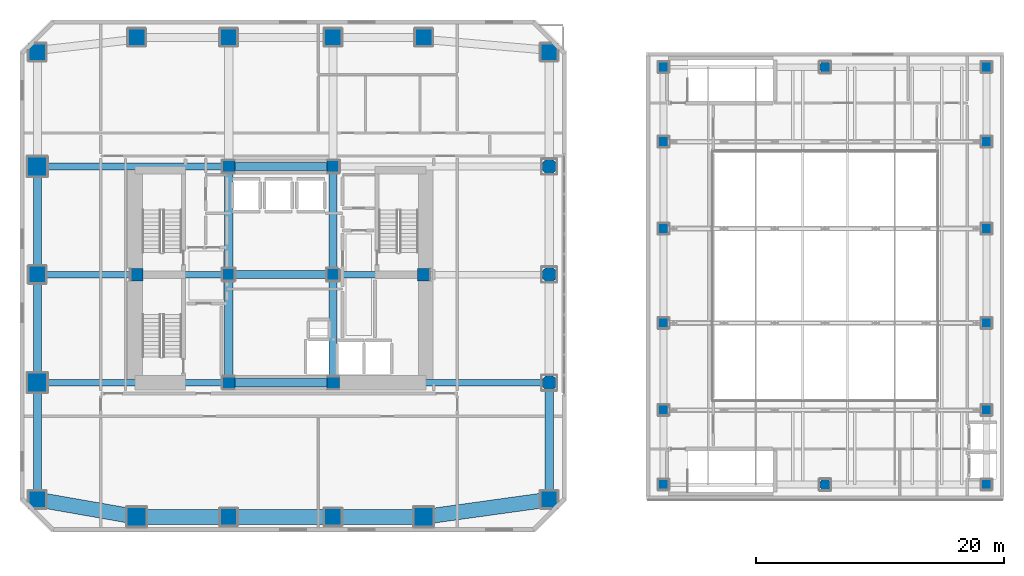
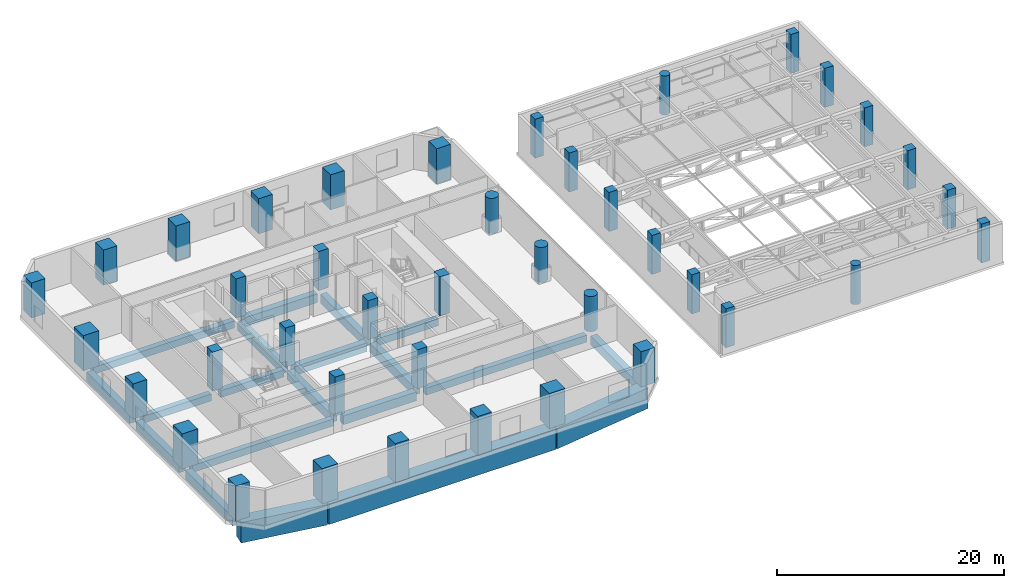
# One storey, part 1 of 25: 40 columns, 20 beams.
"""IFC4 building model written with IfcOpenShell, lengths in metres."""

import ifcopenshell
import ifcopenshell.guid

model = None  # the IFC model being written
_history = None  # IfcOwnerHistory: only IFC2X3 demands one
_inside = {}  # id of a spatial element -> (the spatial element, [elements in it])
_under = {}  # id of a project, library or spatial element -> (it, [spatial elements below it])
_declared = {}  # id of a project -> (the project, [libraries it declares])
_typed = {}  # id of a type object -> (the type object, [elements of that type])
_made_of = {}  # id of a material, layer set ... -> (it, [elements and type objects made of it])


def new_model(schema):
    """Start an empty IFC model of exactly this schema.

    Asked for "IFC4X3", IfcOpenShell would pick the latest addendum, in which some entities
    have other attributes; the version numbers below select the first issue.
    IFC2X3 requires an IfcOwnerHistory on every rooted entity: one is made here for all.
    """
    global model, _history
    if schema == "IFC4X3":
        model = ifcopenshell.file(schema_version=(4, 3, 0, 0))
    else:
        model = ifcopenshell.file(schema=schema)
    _inside.clear()
    _under.clear()
    _declared.clear()
    _typed.clear()
    _made_of.clear()
    _history = None
    if model.schema == "IFC2X3":
        org = make("IfcOrganization", Name="unknown")
        user = make(
            "IfcPersonAndOrganization",
            ThePerson=make("IfcPerson", FamilyName="unknown"),
            TheOrganization=org,
        )
        app = make(
            "IfcApplication",
            ApplicationDeveloper=org,
            Version="unknown",
            ApplicationFullName="unknown",
            ApplicationIdentifier="unknown",
        )
        _history = make(
            "IfcOwnerHistory",
            OwningUser=user,
            OwningApplication=app,
            ChangeAction="ADDED",
            CreationDate=0,
        )
    return model


def make(cls, **values):
    """One entity of the class cls with the attributes given. An attribute that is None is left unset."""
    return model.create_entity(
        cls, **{name: value for name, value in values.items() if value is not None}
    )


def rooted(cls, **values):
    """An entity with a GlobalId (a new one), such as an element, a storey or a relation."""
    return make(cls, GlobalId=ifcopenshell.guid.new(), OwnerHistory=_history, **values)


def si_unit(unit_type, name, prefix=None):
    """IfcSIUnit, for example si_unit("LENGTHUNIT", "METRE", prefix="MILLI")."""
    return make("IfcSIUnit", UnitType=unit_type, Prefix=prefix, Name=name)


def assignment(units):
    """IfcUnitAssignment: the units of a project."""
    return None if units is None else make("IfcUnitAssignment", Units=units)


def point(xyz):
    """IfcCartesianPoint."""
    return None if xyz is None else make("IfcCartesianPoint", Coordinates=xyz)


def direction(xyz):
    """IfcDirection."""
    return None if xyz is None else make("IfcDirection", DirectionRatios=xyz)


def frame(location, z_axis=None, x_axis=None):
    """IfcAxis2Placement3D, a coordinate frame: its origin and axes. An axis left out is left unset."""
    return make(
        "IfcAxis2Placement3D",
        Location=point(location),
        Axis=direction(z_axis),
        RefDirection=direction(x_axis),
    )


def frame_2d(location, x_axis=None):
    """IfcAxis2Placement2D, a coordinate frame in the plane: its origin and x axis."""
    return make(
        "IfcAxis2Placement2D", Location=point(location), RefDirection=direction(x_axis)
    )


def origin():
    """The frame at (0, 0, 0) with its axes left unset."""
    return frame((0.0, 0.0, 0.0))


def origin_2d():
    """The frame at (0, 0) in the plane with its x axis left unset."""
    return frame_2d((0.0, 0.0))


def place(relative_to, where):
    """IfcLocalPlacement: puts the frame where relative to a parent placement (None: the world)."""
    return make(
        "IfcLocalPlacement", PlacementRelTo=relative_to, RelativePlacement=where
    )


def context(
    kind, dimensions, precision=None, world=None, true_north=None, identifier=None
):
    """IfcGeometricRepresentationContext, for example the 3D "Model" context."""
    return make(
        "IfcGeometricRepresentationContext",
        ContextIdentifier=identifier,
        ContextType=kind,
        CoordinateSpaceDimension=dimensions,
        Precision=precision,
        WorldCoordinateSystem=world,
        TrueNorth=true_north,
    )


def subcontext(parent, identifier, kind, view, scale=None):
    """IfcGeometricRepresentationSubContext, for example "Body" below "Model"."""
    return make(
        "IfcGeometricRepresentationSubContext",
        ContextIdentifier=identifier,
        ContextType=kind,
        ParentContext=parent,
        TargetScale=scale,
        TargetView=view,
    )


def project(units=None, contexts=None):
    """IfcProject with its units and contexts."""
    return rooted(
        "IfcProject",
        Name="project",
        RepresentationContexts=contexts,
        UnitsInContext=assignment(units),
    )


def spatial(cls, under=None, at=None, **own):
    """A site, building, storey or space (cls), placed at a placement, below another one or the project."""
    s = rooted(cls, ObjectPlacement=at, **own)
    if under is not None:
        _under.setdefault(under.id(), (under, []))[1].append(s)
    return s


def profile(cls, at=None, kind="AREA", **sizes):
    """A parametric profile (cls). Its sizes go by their IFC names, for example OverallWidth=200.0."""
    return make(cls, ProfileType=kind, Position=at, **sizes)


def rectangle(**sizes):
    """IfcRectangleProfileDef."""
    return profile("IfcRectangleProfileDef", **sizes)


def circle(**sizes):
    """IfcCircleProfileDef."""
    return profile("IfcCircleProfileDef", **sizes)


def extrude(swept, where, along, depth):
    """IfcExtrudedAreaSolid: the profile swept, set in the frame where, extruded along a direction by depth."""
    return make(
        "IfcExtrudedAreaSolid",
        SweptArea=swept,
        Position=where,
        ExtrudedDirection=direction(along),
        Depth=depth,
    )


def shape(context_of_items, identifier, shape_type, items):
    """IfcShapeRepresentation: the items that make up one representation, for example the "Body"."""
    return make(
        "IfcShapeRepresentation",
        ContextOfItems=context_of_items,
        RepresentationIdentifier=identifier,
        RepresentationType=shape_type,
        Items=items,
    )


def material(Name=None, Category=None):
    """IfcMaterial."""
    return make("IfcMaterial", Name=Name, Category=Category)


def material_profile(
    of_material, cross_section, Name=None, Category=None, Priority=None
):
    """IfcMaterialProfile: a cross section and its material."""
    return make(
        "IfcMaterialProfile",
        Name=Name,
        Material=of_material,
        Profile=cross_section,
        Priority=Priority,
        Category=Category,
    )


def profile_set(profiles, Name=None, composite=None):
    """IfcMaterialProfileSet."""
    return make(
        "IfcMaterialProfileSet",
        Name=Name,
        MaterialProfiles=profiles,
        CompositeProfile=composite,
    )


def made_of(thing, what):
    """Note that an element or type object is made of a material, layer set ...; save() writes the relation."""
    if what is not None:
        _made_of.setdefault(what.id(), (what, []))[1].append(thing)
    return thing


def type_object(cls, material=None, **own):
    """A type object (cls), such as IfcWallType, which elements share."""
    return made_of(rooted(cls, **own), material)


def element(
    cls,
    number,
    at=None,
    inside=None,
    cuts=None,
    type_object=None,
    material=None,
    context=None,
    identifier="Body",
    shape_type=None,
    held_by="IfcProductDefinitionShape",
    body=None,
    shapes=None,
    **own,
):
    """One element of the class cls, such as IfcWall. Its Tag is "e" and its number.

    at: its placement. inside: the storey or other place that contains it. cuts: it is an
    opening in that element (IfcRelVoidsElement). A single representation is given by context,
    identifier, shape_type and body (its items); several are given by shapes. held_by: the class
    of the entity that holds the representations. save() writes the other relations.
    """
    e = rooted(cls, Tag="e%d" % number, ObjectPlacement=at, **own)
    if body is not None:
        shapes = [shape(context, identifier, shape_type, body)]
    if shapes is not None:
        e.Representation = make(held_by, Representations=shapes)
    if inside is not None:
        _inside.setdefault(inside.id(), (inside, []))[1].append(e)
    if cuts is not None:
        rooted(
            "IfcRelVoidsElement", RelatingBuildingElement=cuts, RelatedOpeningElement=e
        )
    if type_object is not None:
        _typed.setdefault(type_object.id(), (type_object, []))[1].append(e)
    return made_of(e, material)


def aggregate(whole, parts):
    """IfcRelAggregates: a whole, such as a stair, and the parts it consists of."""
    return rooted("IfcRelAggregates", RelatingObject=whole, RelatedObjects=parts)


def save(model, path):
    """Write the relations noted so far, then the file.

    IfcRelAggregates (storeys below a building ...), IfcRelContainedInSpatialStructure (elements
    in a storey), IfcRelDefinesByType, IfcRelAssociatesMaterial and IfcRelDeclares: one each for
    every whole, place, type object, material and project.
    """
    for whole, parts in _under.values():
        aggregate(whole, parts)
    for where, things in _inside.values():
        rooted(
            "IfcRelContainedInSpatialStructure",
            RelatedElements=things,
            RelatingStructure=where,
        )
    for kind, things in _typed.values():
        rooted("IfcRelDefinesByType", RelatedObjects=things, RelatingType=kind)
    for what, things in _made_of.values():
        rooted("IfcRelAssociatesMaterial", RelatedObjects=things, RelatingMaterial=what)
    for by, libraries in _declared.values():
        rooted("IfcRelDeclares", RelatingContext=by, RelatedDefinitions=libraries)
    model.write(path)


model = new_model("IFC4")

# Units and contexts
model_context = context("Model", 3, precision=1e-05, world=origin(), true_north=direction((0.0, 1.0)))
body_context = subcontext(model_context, "Body", "Model", "MODEL_VIEW")
ifc_project = project(units=[si_unit("LENGTHUNIT", "METRE"), si_unit("AREAUNIT", "SQUARE_METRE"), si_unit("VOLUMEUNIT", "CUBIC_METRE"), si_unit("PLANEANGLEUNIT", "RADIAN"), si_unit("MASSUNIT", "GRAM", prefix="KILO")], contexts=[model_context])

# Site, building, storey
site_placement = place(None, origin())
site = spatial("IfcSite", under=ifc_project, at=site_placement, CompositionType="ELEMENT")
building_placement = place(site_placement, origin())
building = spatial("IfcBuilding", under=site, at=building_placement, Name="Solanera Arch Residences", CompositionType="ELEMENT")
storey_placement = place(building_placement, frame((0.0, 0.0, 17.800048828125)))
storey = spatial("IfcBuildingStorey", under=building, at=storey_placement, Name="L04", CompositionType="ELEMENT", Elevation=17.800048828125)

# Columns
ifc_material_1 = material(Name="Concrete C55/67 (f'c = 60 MPa)", Category="concrete")
ifc_material_profile_1 = material_profile(ifc_material_1, rectangle(XDim=1.0, YDim=1.0, at=origin_2d()))
ifc_profile_set_1 = profile_set([ifc_material_profile_1], Name="Concrete C55/67 (f'c = 60 MPa)")
column_type_1 = type_object("IfcColumnType", Name="Structural Column RC-COL-1000X1000", PredefinedType="COLUMN", material=ifc_profile_set_1)
for number, where, z_axis, x_axis, name in (
    (1, (20.800048828125, 22.0, 0.0), (0.0, 0.0, 1.0), (1.0, 0.0, 0.0), "COL-L04-CB-SW"),
    (2, (29.199951171875, 22.0, 0.0), (0.0, 0.0, 1.0), (1.0, 0.0, 0.0), "COL-L04-CB-SE"),
    (3, (20.800048828125, 39.39990234375, 0.0), (0.0, 0.0, 1.0), (1.0, 0.0, 0.0), "COL-L04-CB-NW"),
    (4, (29.199951171875, 39.39990234375, 0.0), (0.0, 0.0, 1.0), (1.0, 0.0, 0.0), "COL-L04-CB-NE"),
    (5, (13.39990234375, 30.699951171875, 0.0), (0.0, 0.0, 1.0), (1.0, 0.0, 0.0), "COL-L04-CB-WW"),
    (6, (36.5, 30.699951171875, 0.0), (0.0, 0.0, 1.0), (1.0, 0.0, 0.0), "COL-L04-CB-EE"),
    (7, (20.800048828125, 30.699951171875, 0.0), (0.0, 0.0, 1.0), (1.0, 0.0, 0.0), "COL-L04-CORE-W"),
    (8, (29.199951171875, 30.699951171875, 0.0), (0.0, 0.0, 1.0), (1.0, 0.0, 0.0), "COL-L04-CORE-E"),
):
    element("IfcColumn", number, at=place(storey_placement, frame(where, z_axis=z_axis, x_axis=x_axis)), inside=storey, type_object=column_type_1, Name=name, PredefinedType="COLUMN", context=body_context, shape_type="SweptSolid", body=[
        extrude(rectangle(XDim=1.0, YDim=1.0, at=origin_2d()), origin(), (0.0, 0.0, 1.0), 4.199951171875),
    ])
ifc_material_2 = material(Name="Concrete C55/67 (f'c = 60 MPa)", Category="concrete")
ifc_material_profile_2 = material_profile(ifc_material_2, rectangle(XDim=1.39990234375, YDim=1.39990234375, at=origin_2d()))
ifc_profile_set_2 = profile_set([ifc_material_profile_2], Name="Concrete C55/67 (f'c = 60 MPa)")
column_type_2 = type_object("IfcColumnType", Name="Structural Column RC-COL-1400X1400", PredefinedType="COLUMN", material=ifc_profile_set_2)
for number, where, z_axis, x_axis, name in (
    (9, (13.39990234375, 49.800048828125, 0.0), (0.0, 0.0, 1.0), (1.0, 0.0, 0.0), "COL-L04-POD-03"),
    (10, (20.800048828125, 49.800048828125, 0.0), (0.0, 0.0, 1.0), (1.0, 0.0, 0.0), "COL-L04-POD-04"),
    (11, (29.199951171875, 49.800048828125, 0.0), (0.0, 0.0, 1.0), (1.0, 0.0, 0.0), "COL-L04-POD-05"),
    (12, (36.5, 49.800048828125, 0.0), (0.0, 0.0, 1.0), (1.0, 0.0, 0.0), "COL-L04-POD-06"),
    (13, (5.39990234375, 30.699951171875, 0.0), (0.0, 0.0, 1.0), (1.0, 0.0, 0.0), "COL-L04-POD-08"),
    (14, (5.39990234375, 12.60009765625, 0.0), (0.0, 0.0, 1.0), (1.0, 0.0, 0.0), "COL-L04-POD-13"),
    (15, (46.60009765625, 12.60009765625, 0.0), (0.0, 0.0, 1.0), (1.0, 0.0, 0.0), "COL-L04-POD-14"),
    (16, (5.39990234375, 48.60009765625, 0.0), (0.0, 0.0, 1.0), (1.0, 0.0, 0.0), "COL-L04-POD-15"),
    (17, (46.60009765625, 48.60009765625, 0.0), (0.0, 0.0, 1.0), (1.0, 0.0, 0.0), "COL-L04-POD-16"),
):
    element("IfcColumn", number, at=place(storey_placement, frame(where, z_axis=z_axis, x_axis=x_axis)), inside=storey, type_object=column_type_2, Name=name, PredefinedType="COLUMN", context=body_context, shape_type="SweptSolid", body=[
        extrude(rectangle(XDim=1.39990234375, YDim=1.39990234375, at=origin_2d()), origin(), (0.0, 0.0, 1.0), 3.780029296875),
    ])
for number, where, z_axis, x_axis, name in (
    (18, (20.800048828125, 11.199951171875, -0.420166015625), (0.0, 0.0, 1.0), (1.0, 0.0, 0.0), "COL-L04-POD-AS1"),
    (19, (29.199951171875, 11.199951171875, -0.420166015625), (0.0, 0.0, 1.0), (1.0, 0.0, 0.0), "COL-L04-POD-AS2"),
):
    element("IfcColumn", number, at=place(storey_placement, frame(where, z_axis=z_axis, x_axis=x_axis)), inside=storey, type_object=column_type_2, Name=name, PredefinedType="COLUMN", context=body_context, shape_type="SweptSolid", body=[
        extrude(rectangle(XDim=1.39990234375, YDim=1.39990234375, at=origin_2d()), origin(), (0.0, 0.0, 1.0), 4.2001953125),
    ])
ifc_material_3 = material(Name="Concrete C55/67 (f'c = 60 MPa)", Category="concrete")
ifc_material_profile_3 = material_profile(ifc_material_3, rectangle(XDim=1.60009765625, YDim=1.60009765625, at=origin_2d()))
ifc_profile_set_3 = profile_set([ifc_material_profile_3], Name="Concrete C55/67 (f'c = 60 MPa)")
column_type_3 = type_object("IfcColumnType", Name="Structural Column RC-COL-1600X1600", PredefinedType="COLUMN", material=ifc_profile_set_3)
for number, where, z_axis, x_axis, name in (
    (20, (13.39990234375, 11.199951171875, 0.0), (0.0, 0.0, 1.0), (1.0, 0.0, 0.0), "COL-L04-POD-01"),
    (21, (36.5, 11.199951171875, 0.0), (0.0, 0.0, 1.0), (1.0, 0.0, 0.0), "COL-L04-POD-02"),
    (22, (5.39990234375, 22.0, 0.0), (0.0, 0.0, 1.0), (1.0, 0.0, 0.0), "COL-L04-POD-07"),
    (23, (5.39990234375, 39.39990234375, 0.0), (0.0, 0.0, 1.0), (1.0, 0.0, 0.0), "COL-L04-POD-09"),
):
    element("IfcColumn", number, at=place(storey_placement, frame(where, z_axis=z_axis, x_axis=x_axis)), inside=storey, type_object=column_type_3, Name=name, PredefinedType="COLUMN", context=body_context, shape_type="SweptSolid", body=[
        extrude(rectangle(XDim=1.60009765625, YDim=1.60009765625, at=origin_2d()), origin(), (0.0, 0.0, 1.0), 3.780029296875),
    ])
ifc_material_4 = material(Name="Concrete C40/50 (f'c = 45 MPa)", Category="concrete")
ifc_material_profile_4 = material_profile(ifc_material_4, rectangle(XDim=0.85009765625, YDim=0.85009765625, at=origin_2d()))
ifc_profile_set_4 = profile_set([ifc_material_profile_4], Name="Concrete C40/50 (f'c = 45 MPa)")
column_type_4 = type_object("IfcColumnType", Name="Structural Column RC-COL-850X850", PredefinedType="COLUMN", material=ifc_profile_set_4)
for number, where, z_axis, x_axis, name in (
    (24, (55.800048828125, 13.800048828125, 0.0), (0.0, 0.0, 1.0), (1.0, 0.0, 0.0), "COL-L04-HALL-01"),
    (25, (55.800048828125, 19.800048828125, 0.0), (0.0, 0.0, 1.0), (1.0, 0.0, 0.0), "COL-L04-HALL-02"),
    (26, (55.800048828125, 26.800048828125, 0.0), (0.0, 0.0, 1.0), (1.0, 0.0, 0.0), "COL-L04-HALL-03"),
    (27, (55.800048828125, 34.39990234375, 0.0), (0.0, 0.0, 1.0), (1.0, 0.0, 0.0), "COL-L04-HALL-04"),
    (28, (55.800048828125, 41.39990234375, 0.0), (0.0, 0.0, 1.0), (1.0, 0.0, 0.0), "COL-L04-HALL-05"),
    (29, (55.800048828125, 47.39990234375, 0.0), (0.0, 0.0, 1.0), (1.0, 0.0, 0.0), "COL-L04-HALL-06"),
    (30, (81.800048828125, 13.800048828125, 0.0), (0.0, 0.0, 1.0), (1.0, 0.0, 0.0), "COL-L04-HALL-07"),
    (31, (81.800048828125, 19.800048828125, 0.0), (0.0, 0.0, 1.0), (1.0, 0.0, 0.0), "COL-L04-HALL-08"),
    (32, (81.800048828125, 26.800048828125, 0.0), (0.0, 0.0, 1.0), (1.0, 0.0, 0.0), "COL-L04-HALL-09"),
    (33, (81.800048828125, 34.39990234375, 0.0), (0.0, 0.0, 1.0), (1.0, 0.0, 0.0), "COL-L04-HALL-10"),
    (34, (81.800048828125, 41.39990234375, 0.0), (0.0, 0.0, 1.0), (1.0, 0.0, 0.0), "COL-L04-HALL-11"),
    (35, (81.800048828125, 47.39990234375, 0.0), (0.0, 0.0, 1.0), (1.0, 0.0, 0.0), "COL-L04-HALL-12"),
):
    element("IfcColumn", number, at=place(storey_placement, frame(where, z_axis=z_axis, x_axis=x_axis)), inside=storey, type_object=column_type_4, Name=name, PredefinedType="COLUMN", context=body_context, shape_type="SweptSolid", body=[
        extrude(rectangle(XDim=0.85009765625, YDim=0.85009765625, at=origin_2d()), origin(), (0.0, 0.0, 1.0), 4.199951171875),
    ])
ifc_material_5 = material(Name="Concrete C55/67 (f'c = 60 MPa)", Category="concrete")
ifc_material_profile_5 = material_profile(ifc_material_5, circle(Radius=0.60009765625, at=origin_2d()))
ifc_profile_set_5 = profile_set([ifc_material_profile_5], Name="Concrete C55/67 (f'c = 60 MPa)")
column_type_5 = type_object("IfcColumnType", Name="Structural Column RC-COL-D1200", PredefinedType="COLUMN", material=ifc_profile_set_5)
for number, where, z_axis, x_axis, name in (
    (36, (46.60009765625, 22.0, 0.0), (0.0, 0.0, 1.0), (1.0, 0.0, 0.0), "COL-L04-POD-10"),
    (37, (46.60009765625, 30.699951171875, 0.0), (0.0, 0.0, 1.0), (1.0, 0.0, 0.0), "COL-L04-POD-11"),
    (38, (46.60009765625, 39.39990234375, 0.0), (0.0, 0.0, 1.0), (1.0, 0.0, 0.0), "COL-L04-POD-12"),
):
    element("IfcColumn", number, at=place(storey_placement, frame(where, z_axis=z_axis, x_axis=x_axis)), inside=storey, type_object=column_type_5, Name=name, PredefinedType="COLUMN", context=body_context, shape_type="SweptSolid", body=[
        extrude(circle(Radius=0.60009765625, at=origin_2d()), origin(), (0.0, 0.0, 1.0), 3.780029296875),
    ])
ifc_material_6 = material(Name="Concrete C40/50 (f'c = 45 MPa)", Category="concrete")
ifc_material_profile_6 = material_profile(ifc_material_6, circle(Radius=0.449951171875, at=origin_2d()))
ifc_profile_set_6 = profile_set([ifc_material_profile_6], Name="Concrete C40/50 (f'c = 45 MPa)")
column_type_6 = type_object("IfcColumnType", Name="Structural Column RC-COL-D900", PredefinedType="COLUMN", material=ifc_profile_set_6)
for number, where, z_axis, x_axis, name in (
    (39, (68.800048828125, 13.800048828125, 0.0), (0.0, 0.0, 1.0), (1.0, 0.0, 0.0), "COL-L04-HALL-13"),
    (40, (68.800048828125, 47.39990234375, 0.0), (0.0, 0.0, 1.0), (1.0, 0.0, 0.0), "COL-L04-HALL-14"),
):
    element("IfcColumn", number, at=place(storey_placement, frame(where, z_axis=z_axis, x_axis=x_axis)), inside=storey, type_object=column_type_6, Name=name, PredefinedType="COLUMN", context=body_context, shape_type="SweptSolid", body=[
        extrude(circle(Radius=0.449951171875, at=origin_2d()), origin(), (0.0, 0.0, 1.0), 4.199951171875),
    ])

# Beams
ifc_material_7 = material(Name="Concrete C40/50 (f'c = 45 MPa)", Category="concrete")
ifc_material_profile_7 = material_profile(ifc_material_7, rectangle(XDim=0.550048828125, YDim=0.75, at=origin_2d()))
ifc_profile_set_7 = profile_set([ifc_material_profile_7], Name="Concrete C40/50 (f'c = 45 MPa)")
beam_type_1 = type_object("IfcBeamType", Name="Primary Beam RC-BM-550X750", PredefinedType="BEAM", material=ifc_profile_set_7)
beam_1_placement = place(storey_placement, frame((5.93994140625, 22.0, -0.795166015625), z_axis=(1.0, 0.0, 0.0), x_axis=(0.0, 1.0, 0.0)))
element("IfcBeam", 41, at=beam_1_placement, inside=storey, type_object=beam_type_1, Name="BM-L04-POD-RW-22", PredefinedType="BEAM", context=body_context, shape_type="SweptSolid", body=[
    extrude(rectangle(XDim=0.550048828125, YDim=0.75, at=origin_2d()), origin(), (0.0, 0.0, 1.0), 14.35595703125),
])
beam_2_placement = place(storey_placement, frame((29.7041015625, 22.0, -0.795166015625), z_axis=(1.0, 0.0, 0.0), x_axis=(0.0, 1.0, 0.0)))
element("IfcBeam", 42, at=beam_2_placement, inside=storey, type_object=beam_type_1, Name="BM-L04-POD-RE-22", PredefinedType="BEAM", context=body_context, shape_type="SweptSolid", body=[
    extrude(rectangle(XDim=0.550048828125, YDim=0.75, at=origin_2d()), origin(), (0.0, 0.0, 1.0), 16.35595703125),
])
beam_3_placement = place(storey_placement, frame((5.93994140625, 30.699951171875, -0.795166015625), z_axis=(1.0, 0.0, 0.0), x_axis=(0.0, 1.0, 0.0)))
element("IfcBeam", 43, at=beam_3_placement, inside=storey, type_object=beam_type_1, Name="BM-L04-POD-RW-30", PredefinedType="BEAM", context=body_context, shape_type="SweptSolid", body=[
    extrude(rectangle(XDim=0.550048828125, YDim=0.75, at=origin_2d()), origin(), (0.0, 0.0, 1.0), 6.9560546875),
])
beam_4_placement = place(storey_placement, frame((5.93994140625, 39.39990234375, -0.795166015625), z_axis=(1.0, 0.0, 0.0), x_axis=(0.0, 1.0, 0.0)))
element("IfcBeam", 44, at=beam_4_placement, inside=storey, type_object=beam_type_1, Name="BM-L04-POD-RW-39", PredefinedType="BEAM", context=body_context, shape_type="SweptSolid", body=[
    extrude(rectangle(XDim=0.550048828125, YDim=0.75, at=origin_2d()), origin(), (0.0, 0.0, 1.0), 14.35595703125),
])
beam_5_placement = place(storey_placement, frame((13.904052734375, 30.699951171875, -0.795166015625), z_axis=(1.0, 0.0, 0.0), x_axis=(0.0, 1.0, 0.0)))
element("IfcBeam", 45, at=beam_5_placement, inside=storey, type_object=beam_type_1, Name="BM-L04-HCCW", PredefinedType="BEAM", context=body_context, shape_type="SweptSolid", body=[
    extrude(rectangle(XDim=0.550048828125, YDim=0.75, at=origin_2d()), origin(), (0.0, 0.0, 1.0), 6.391845703125),
])
beam_6_placement = place(storey_placement, frame((29.7041015625, 30.699951171875, -0.795166015625), z_axis=(1.0, 0.0, 0.0), x_axis=(0.0, 1.0, 0.0)))
element("IfcBeam", 46, at=beam_6_placement, inside=storey, type_object=beam_type_1, Name="BM-L04-HCCE", PredefinedType="BEAM", context=body_context, shape_type="SweptSolid", body=[
    extrude(rectangle(XDim=0.550048828125, YDim=0.75, at=origin_2d()), origin(), (0.0, 0.0, 1.0), 6.2919921875),
])
ifc_material_8 = material(Name="Concrete C40/50 (f'c = 45 MPa)", Category="concrete")
ifc_material_profile_8 = material_profile(ifc_material_8, rectangle(XDim=0.64990234375, YDim=0.949951171875, at=origin_2d()))
ifc_profile_set_8 = profile_set([ifc_material_profile_8], Name="Concrete C40/50 (f'c = 45 MPa)")
beam_type_2 = type_object("IfcBeamType", Name="Primary Beam RC-BM-650X950", PredefinedType="BEAM", material=ifc_profile_set_8)
beam_7_placement = place(storey_placement, frame((5.39990234375, 13.139892578125, -0.89501953125), z_axis=(0.0, 1.0, 0.0), x_axis=(-1.0, 0.0, 0.0)))
element("IfcBeam", 47, at=beam_7_placement, inside=storey, type_object=beam_type_2, Name="BM-L04-POD-W1", PredefinedType="BEAM", context=body_context, shape_type="SweptSolid", body=[
    extrude(rectangle(XDim=0.64990234375, YDim=0.949951171875, at=origin_2d()), origin(), (0.0, 0.0, 1.0), 8.320068359375),
])
beam_8_placement = place(storey_placement, frame((5.39990234375, 22.5400390625, -0.89501953125), z_axis=(0.0, 1.0, 0.0), x_axis=(-1.0, 0.0, 0.0)))
element("IfcBeam", 48, at=beam_8_placement, inside=storey, type_object=beam_type_2, Name="BM-L04-POD-W2", PredefinedType="BEAM", context=body_context, shape_type="SweptSolid", body=[
    extrude(rectangle(XDim=0.64990234375, YDim=0.949951171875, at=origin_2d()), origin(), (0.0, 0.0, 1.0), 7.619873046875),
])
beam_9_placement = place(storey_placement, frame((5.39990234375, 31.239990234375, -0.89501953125), z_axis=(0.0, 1.0, 0.0), x_axis=(-1.0, 0.0, 0.0)))
element("IfcBeam", 49, at=beam_9_placement, inside=storey, type_object=beam_type_2, Name="BM-L04-POD-W3", PredefinedType="BEAM", context=body_context, shape_type="SweptSolid", body=[
    extrude(rectangle(XDim=0.64990234375, YDim=0.949951171875, at=origin_2d()), origin(), (0.0, 0.0, 1.0), 7.6201171875),
])
beam_10_placement = place(storey_placement, frame((46.60009765625, 13.139892578125, -0.89501953125), z_axis=(0.0, 1.0, 0.0), x_axis=(-1.0, 0.0, 0.0)))
element("IfcBeam", 50, at=beam_10_placement, inside=storey, type_object=beam_type_2, Name="BM-L04-POD-E1", PredefinedType="BEAM", context=body_context, shape_type="SweptSolid", body=[
    extrude(rectangle(XDim=0.64990234375, YDim=0.949951171875, at=origin_2d()), origin(), (0.0, 0.0, 1.0), 8.320068359375),
])
beam_11_placement = place(storey_placement, frame((20.800048828125, 22.50390625, -0.89501953125), z_axis=(0.0, 1.0, 0.0), x_axis=(-1.0, 0.0, 0.0)))
element("IfcBeam", 51, at=beam_11_placement, inside=storey, type_object=beam_type_2, Name="BM-L04-HCNS-20", PredefinedType="BEAM", context=body_context, shape_type="SweptSolid", body=[
    extrude(rectangle(XDim=0.64990234375, YDim=0.949951171875, at=origin_2d()), origin(), (0.0, 0.0, 1.0), 7.692138671875),
])
beam_12_placement = place(storey_placement, frame((20.800048828125, 31.2041015625, -0.89501953125), z_axis=(0.0, 1.0, 0.0), x_axis=(-1.0, 0.0, 0.0)))
element("IfcBeam", 52, at=beam_12_placement, inside=storey, type_object=beam_type_2, Name="BM-L04-HCNN-20", PredefinedType="BEAM", context=body_context, shape_type="SweptSolid", body=[
    extrude(rectangle(XDim=0.64990234375, YDim=0.949951171875, at=origin_2d()), origin(), (0.0, 0.0, 1.0), 7.69189453125),
])
beam_13_placement = place(storey_placement, frame((29.199951171875, 22.50390625, -0.89501953125), z_axis=(0.0, 1.0, 0.0), x_axis=(-1.0, 0.0, 0.0)))
element("IfcBeam", 53, at=beam_13_placement, inside=storey, type_object=beam_type_2, Name="BM-L04-HCNS-29", PredefinedType="BEAM", context=body_context, shape_type="SweptSolid", body=[
    extrude(rectangle(XDim=0.64990234375, YDim=0.949951171875, at=origin_2d()), origin(), (0.0, 0.0, 1.0), 7.692138671875),
])
beam_14_placement = place(storey_placement, frame((29.199951171875, 31.2041015625, -0.89501953125), z_axis=(0.0, 1.0, 0.0), x_axis=(-1.0, 0.0, 0.0)))
element("IfcBeam", 54, at=beam_14_placement, inside=storey, type_object=beam_type_2, Name="BM-L04-HCNN-29", PredefinedType="BEAM", context=body_context, shape_type="SweptSolid", body=[
    extrude(rectangle(XDim=0.64990234375, YDim=0.949951171875, at=origin_2d()), origin(), (0.0, 0.0, 1.0), 7.69189453125),
])
for number, where, z_axis, x_axis, name in (
    (55, (21.303955078125, 22.0, -0.89501953125), (1.0, 0.0, 0.0), (0.0, 1.0, 0.0), "BM-L04-HCEW-22"),
    (56, (21.303955078125, 30.699951171875, -0.89501953125), (1.0, 0.0, 0.0), (0.0, 1.0, 0.0), "BM-L04-HCEW-30"),
    (57, (21.303955078125, 39.39990234375, -0.89501953125), (1.0, 0.0, 0.0), (0.0, 1.0, 0.0), "BM-L04-HCEW-39"),
):
    element("IfcBeam", number, at=place(storey_placement, frame(where, z_axis=z_axis, x_axis=x_axis)), inside=storey, type_object=beam_type_2, Name=name, PredefinedType="BEAM", context=body_context, shape_type="SweptSolid", body=[
        extrude(rectangle(XDim=0.64990234375, YDim=0.949951171875, at=origin_2d()), origin(), (0.0, 0.0, 1.0), 7.39208984375),
    ])
ifc_material_9 = material(Name="Concrete C55/67 (f'c = 60 MPa)", Category="concrete")
ifc_material_profile_9 = material_profile(ifc_material_9, rectangle(XDim=1.199951171875, YDim=2.199951171875, at=origin_2d()))
ifc_profile_set_9 = profile_set([ifc_material_profile_9], Name="Concrete C55/67 (f'c = 60 MPa)")
beam_type_3 = type_object("IfcBeamType", Name="Transfer Girder RC-BM-1200X2200", PredefinedType="BEAM", material=ifc_profile_set_9)
beam_15_placement = place(storey_placement, frame((5.39990234375, 12.60009765625, -1.52001953125), z_axis=(0.985027404423, -0.172397832165, 0.0), x_axis=(0.172397832165, 0.985027404423, 0.0)))
element("IfcBeam", 58, at=beam_15_placement, inside=storey, type_object=beam_type_3, Name="L04 Arch West Transfer Girder", PredefinedType="BEAM", context=body_context, shape_type="SweptSolid", body=[
    extrude(rectangle(XDim=1.199951171875, YDim=2.199951171875, at=origin_2d()), origin(), (0.0, 0.0, 1.0), 8.12158203125),
])
beam_16_placement = place(storey_placement, frame((13.39990234375, 11.199951171875, -1.52001953125), z_axis=(1.0, 0.0, 0.0), x_axis=(0.0, 1.0, 0.0)))
element("IfcBeam", 59, at=beam_16_placement, inside=storey, type_object=beam_type_3, Name="L04 Arch Crown Transfer Girder", PredefinedType="BEAM", context=body_context, shape_type="SweptSolid", body=[
    extrude(rectangle(XDim=1.199951171875, YDim=2.199951171875, at=origin_2d()), origin(), (0.0, 0.0, 1.0), 23.10009765625),
])
beam_17_placement = place(storey_placement, frame((36.5, 11.199951171875, -1.52001953125), z_axis=(0.990527584256, 0.137313891605, 0.0), x_axis=(-0.137313891605, 0.990527584256, 0.0)))
element("IfcBeam", 60, at=beam_17_placement, inside=storey, type_object=beam_type_3, Name="L04 Arch East Transfer Girder", PredefinedType="BEAM", context=body_context, shape_type="SweptSolid", body=[
    extrude(rectangle(XDim=1.199951171875, YDim=2.199951171875, at=origin_2d()), origin(), (0.0, 0.0, 1.0), 10.19677734375),
])

save(model, "model.ifc")
